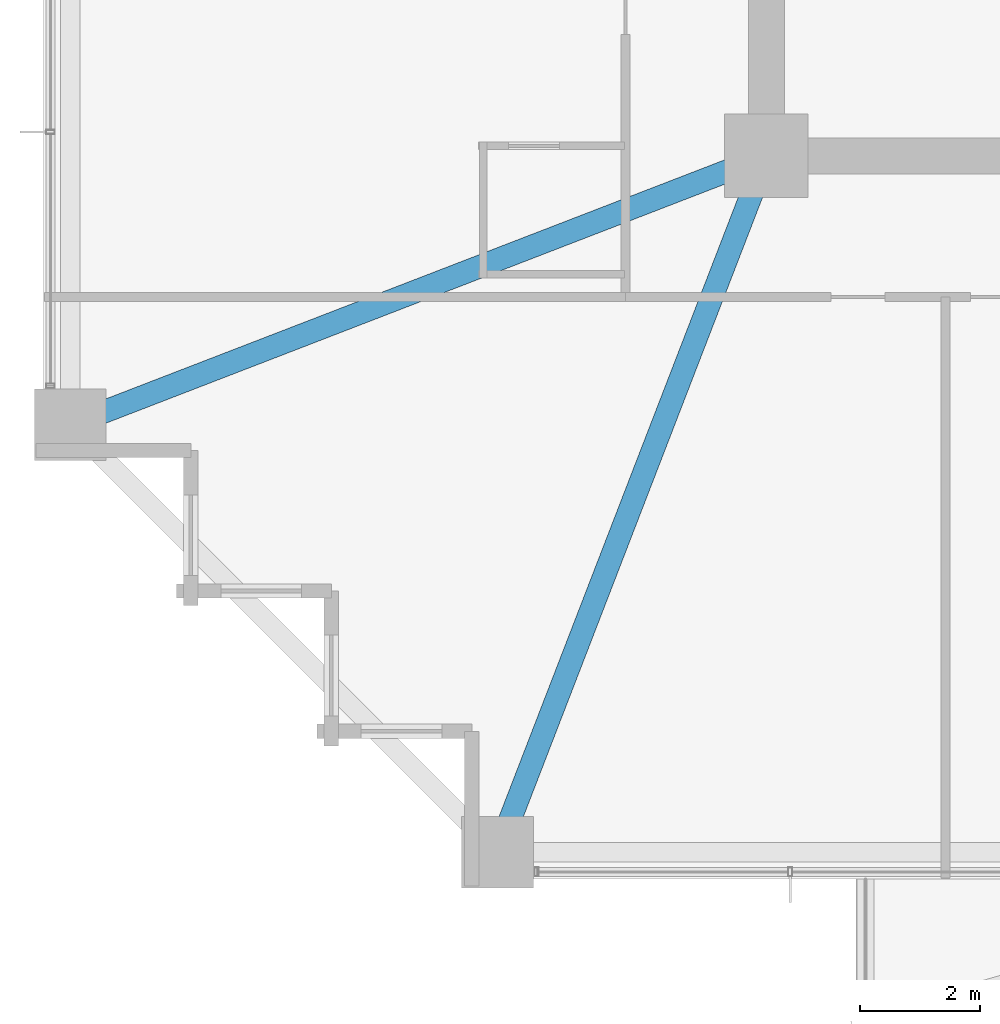
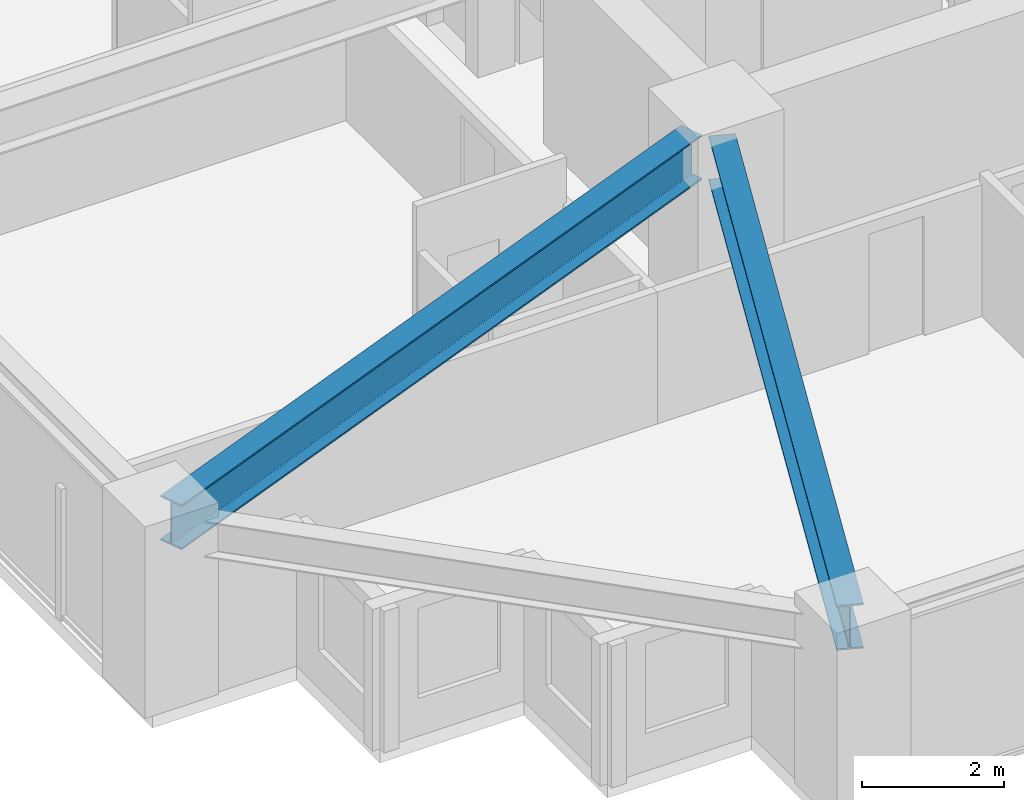
# One storey, part 4 of 38: 2 beams.
"""IFC4 building model written with IfcOpenShell, lengths in metres."""

from ifc_helpers import new_model, si_unit, direction, frame, origin, origin_2d, place, context, subcontext, project, spatial, i_section, extrude, material, material_profile, profile_set, type_object, element, save


model = new_model("IFC4")

# Units and contexts
model_context = context("Model", 3, precision=1e-05, world=origin(), true_north=direction((0.0, 1.0)))
body_context = subcontext(model_context, "Body", "Model", "MODEL_VIEW")
ifc_project = project(units=[si_unit("LENGTHUNIT", "METRE"), si_unit("AREAUNIT", "SQUARE_METRE"), si_unit("VOLUMEUNIT", "CUBIC_METRE"), si_unit("PLANEANGLEUNIT", "RADIAN"), si_unit("MASSUNIT", "GRAM", prefix="KILO")], contexts=[model_context])

# Site, building, storey
site_placement = place(None, origin())
site = spatial("IfcSite", under=ifc_project, at=site_placement, CompositionType="ELEMENT")
building_placement = place(site_placement, origin())
building = spatial("IfcBuilding", under=site, at=building_placement, Name="Kolvaren Belvedere", CompositionType="ELEMENT")
storey_placement = place(building_placement, frame((0.0, 0.0, 30.39990234375)))
storey = spatial("IfcBuildingStorey", under=building, at=storey_placement, Name="L08", CompositionType="ELEMENT", Elevation=30.39990234375)

# Beams
ifc_material = material(Name="Structural steel ASTM A992 Grade 50", Category="steel")
ifc_material_profile = material_profile(ifc_material, i_section(OverallWidth=0.381103515625, OverallDepth=0.77294921875, WebThickness=0.0166015625, FlangeThickness=0.027099609375, FilletRadius=0.02392578125, at=origin_2d()), Name="W30X173")
ifc_profile_set = profile_set([ifc_material_profile], Name="Structural steel ASTM A992 Grade 50")
beam_type = type_object("IfcBeamType", Name="BM-GIRD-W30X173", PredefinedType="BEAM", material=ifc_profile_set)
for number, where, z_axis, x_axis, name in (
    (1, (-10.09814453125, -10.4130859375, 2.673583984375), (-0.360318391835, -0.932829382313, 0.0), (0.932829382313, -0.360318391835, 0.0), "L08 Corner Core-to-Perimeter Girder CC1-S1"),
    (2, (-10.4130859375, -10.09814453125, 2.673583984375), (-0.932829382313, -0.360318391835, 0.0), (0.360318391835, -0.932829382313, 0.0), "L08 Corner Core-to-Perimeter Girder CC1-W1"),
):
    element("IfcBeam", number, at=place(storey_placement, frame(where, z_axis=z_axis, x_axis=x_axis)), inside=storey, type_object=beam_type, Name=name, PredefinedType="BEAM", context=body_context, shape_type="SweptSolid", body=[
        extrude(i_section(OverallWidth=0.381103515625, OverallDepth=0.77294921875, WebThickness=0.0166015625, FlangeThickness=0.027099609375, FilletRadius=0.02392578125, at=origin_2d()), origin(), (0.0, 0.0, 1.0), 11.698974609375),
    ])

save(model, "model.ifc")
